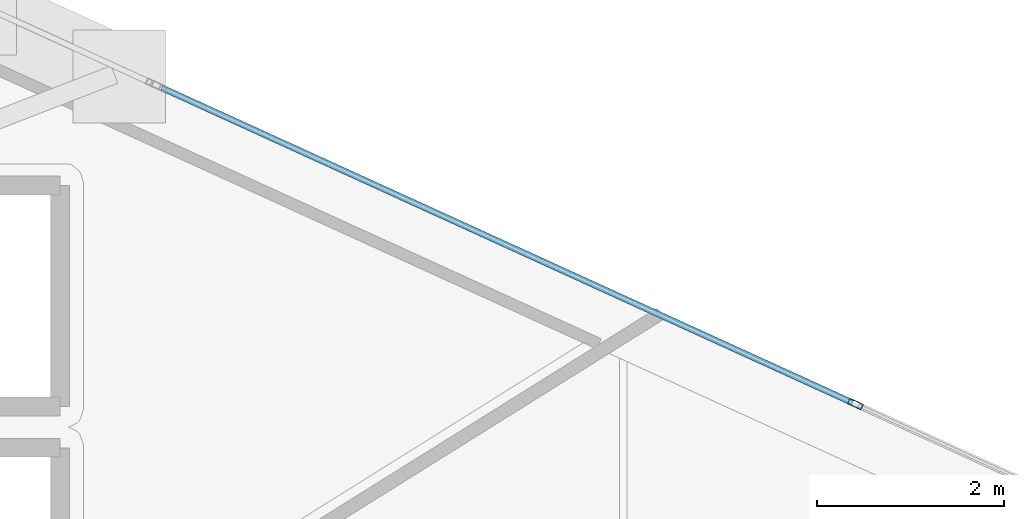
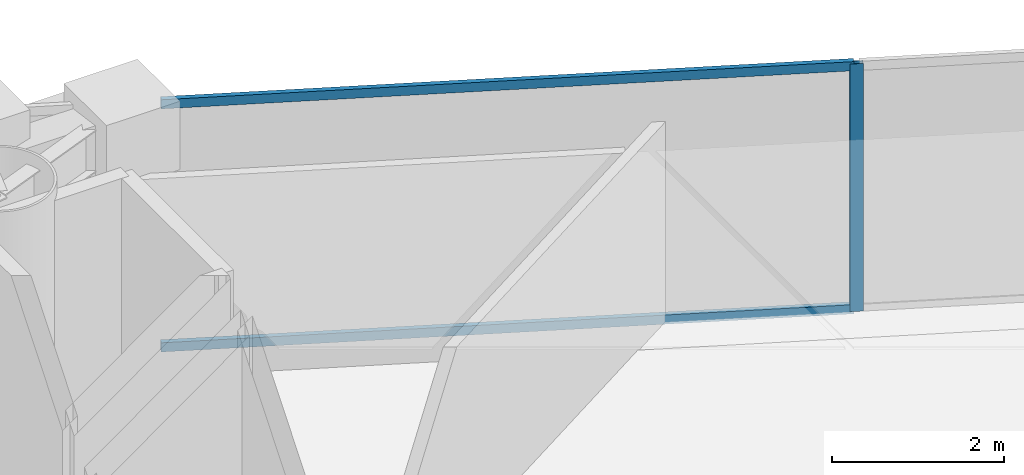
# One storey, part 14 of 23: 3 members, 1 element without a shape of its own.
"""IFC4 building model written with IfcOpenShell, lengths in metres."""

from ifc_helpers import new_model, si_unit, direction, frame, origin, origin_2d, place, context, subcontext, project, spatial, hollow_rectangle, extrude, material, layer, layer_set, material_profile, profile_set, type_object, element, aggregate, save


model = new_model("IFC4")

# Units and contexts
model_context = context("Model", 3, precision=1e-05, world=origin(), true_north=direction((0.0, 1.0)))
body_context = subcontext(model_context, "Body", "Model", "MODEL_VIEW")
ifc_project = project(units=[si_unit("LENGTHUNIT", "METRE"), si_unit("AREAUNIT", "SQUARE_METRE"), si_unit("VOLUMEUNIT", "CUBIC_METRE"), si_unit("PLANEANGLEUNIT", "RADIAN"), si_unit("MASSUNIT", "GRAM", prefix="KILO")], contexts=[model_context])

# Site, building, storey
site_placement = place(None, origin())
site = spatial("IfcSite", under=ifc_project, at=site_placement, CompositionType="ELEMENT")
building_placement = place(site_placement, origin())
building = spatial("IfcBuilding", under=site, at=building_placement, Name="Qianvela Tower", CompositionType="ELEMENT")
storey_placement = place(building_placement, frame((0.0, 0.0, 147.60009765625)))
storey = spatial("IfcBuildingStorey", under=building, at=storey_placement, Name="L37", CompositionType="ELEMENT", Elevation=147.60009765625)

# Curtain wall, members
ifc_material_1 = material(Name="Anodised Architectural Aluminium and Low-E Glass", Category="aluminium")
ifc_layer = layer(ifc_material_1, 0.169921875)
ifc_layer_set = layer_set([ifc_layer], Name="Anodised Architectural Aluminium and Low-E Glass")
curtain_wall_type = type_object("IfcCurtainWallType", Name="CW-COLIV-Z34", PredefinedType="USERDEFINED", material=ifc_layer_set)
curtain_wall_placement = place(storey_placement, origin())
curtain_wall = element("IfcCurtainWall", 1, at=curtain_wall_placement, inside=storey, type_object=curtain_wall_type, Name="L37 CW-COLIV-Z34 Curtain Wall 02A", ObjectType="CURTAIN_WALL_SYSTEM", PredefinedType="USERDEFINED")
ifc_material_2 = material(Name="Anodised Architectural Aluminium 6063-T6", Category="aluminium")
ifc_material_profile_1 = material_profile(ifc_material_2, hollow_rectangle(XDim=0.06494140625, YDim=0.159912109375, WallThickness=0.0048828125, at=origin_2d()), Name="ALU-MULL-65x160")
ifc_profile_set_1 = profile_set([ifc_material_profile_1], Name="Anodised Architectural Aluminium 6063-T6")
member_type_1 = type_object("IfcMemberType", Name="CW-COLIV-Z34-MULL", PredefinedType="MULLION", material=ifc_profile_set_1)
member_1_placement = place(storey_placement, frame((52.038330078125, 32.947021484375, 0.0), z_axis=(0.0, 0.0, 1.0), x_axis=(-0.414902458618, -0.90986589662, 0.0)))
member_1 = element("IfcMember", 2, at=member_1_placement, type_object=member_type_1, Name="CW-4 mullion 2", PredefinedType="MULLION", context=body_context, shape_type="SweptSolid", body=[
    extrude(hollow_rectangle(XDim=0.06494140625, YDim=0.159912109375, WallThickness=0.0048828125, at=origin_2d()), origin(), (0.0, 0.0, 1.0), 3.52001953125),
])
ifc_material_3 = material(Name="Anodised Architectural Aluminium 6063-T6", Category="aluminium")
ifc_material_profile_2 = material_profile(ifc_material_3, hollow_rectangle(XDim=0.06494140625, YDim=0.1298828125, WallThickness=0.00439453125, at=origin_2d()), Name="ALU-TRAN-65x130")
ifc_profile_set_2 = profile_set([ifc_material_profile_2], Name="Anodised Architectural Aluminium 6063-T6")
member_type_2 = type_object("IfcMemberType", Name="CW-COLIV-Z34-TRAN", PredefinedType="USERDEFINED", material=ifc_profile_set_2)
member_2_placement = place(storey_placement, frame((52.0087890625, 32.960693359375, 0.032470703125), z_axis=(-0.909871536275, 0.414890090839, 0.0), x_axis=(-0.414890090839, -0.909871536275, 0.0)))
member_2 = element("IfcMember", 3, at=member_2_placement, type_object=member_type_2, Name="CW-4 transom 2.1", ObjectType="TRANSOM", PredefinedType="USERDEFINED", context=body_context, shape_type="SweptSolid", body=[
    extrude(hollow_rectangle(XDim=0.06494140625, YDim=0.1298828125, WallThickness=0.00439453125, at=origin_2d()), origin(), (0.0, 0.0, 1.0), 8.102294921875),
])
member_3_placement = place(storey_placement, frame((52.0087890625, 32.960693359375, 3.4873046875), z_axis=(-0.909871536275, 0.414890090839, 0.0), x_axis=(-0.414890090839, -0.909871536275, 0.0)))
member_3 = element("IfcMember", 4, at=member_3_placement, type_object=member_type_2, Name="CW-4 transom 2.2", ObjectType="TRANSOM", PredefinedType="USERDEFINED", context=body_context, shape_type="SweptSolid", body=[
    extrude(hollow_rectangle(XDim=0.06494140625, YDim=0.1298828125, WallThickness=0.00439453125, at=origin_2d()), origin(), (0.0, 0.0, 1.0), 8.102294921875),
])
aggregate(curtain_wall, [member_1, member_2, member_3])

save(model, "model.ifc")
